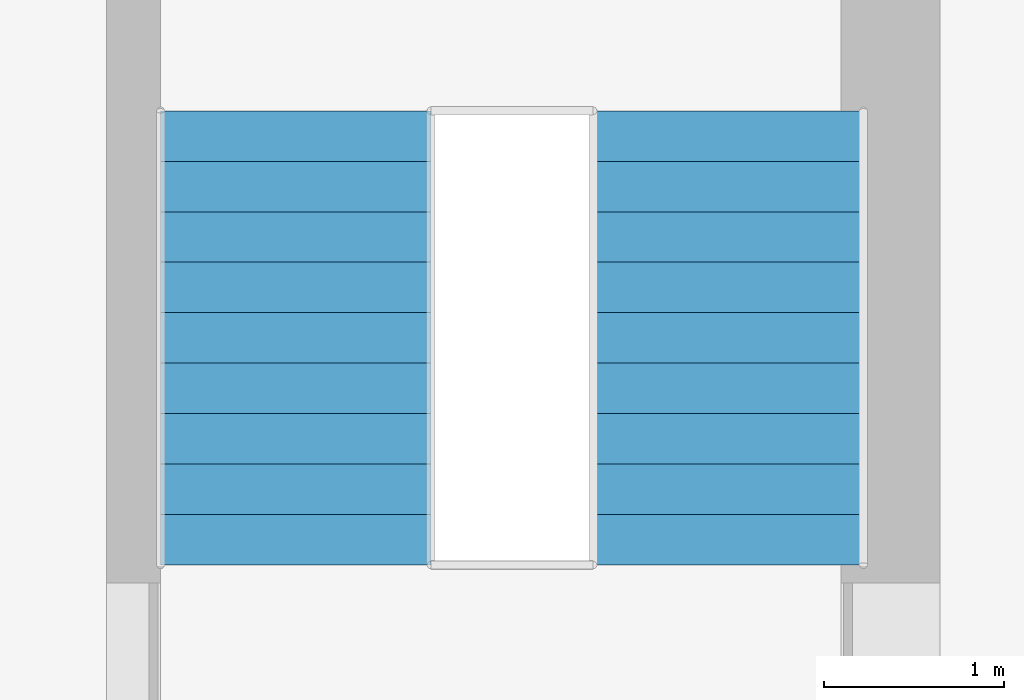
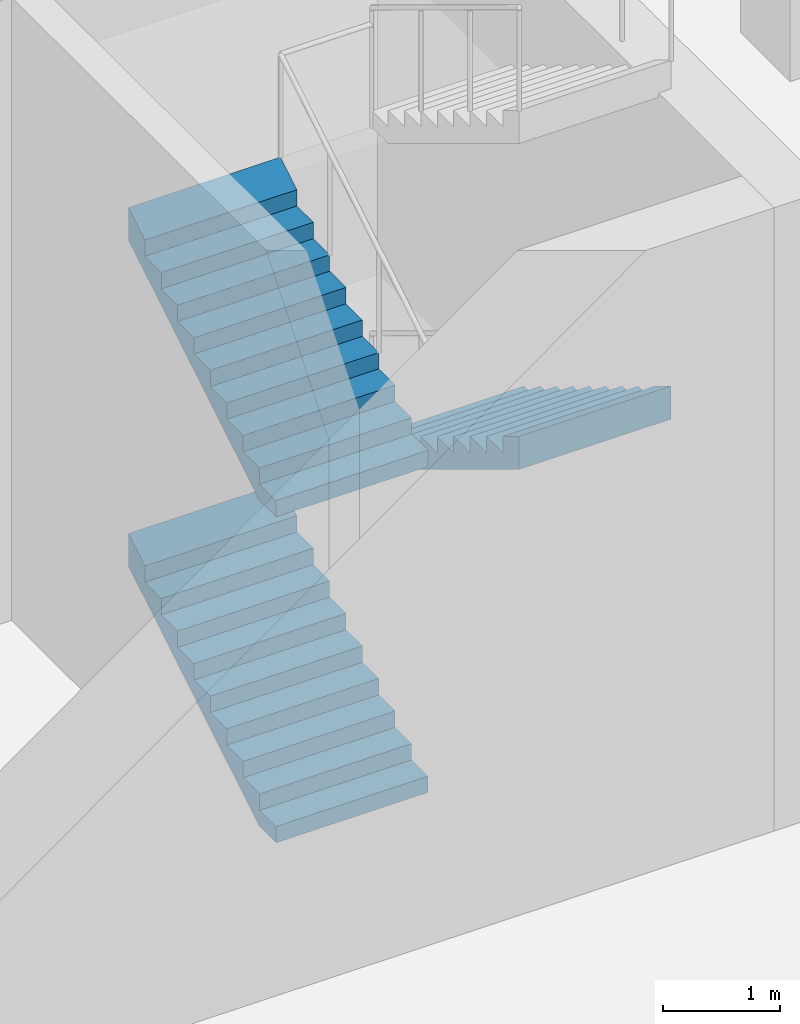
# One storey, part 4 of 10: 3 stair flights, 1 element without a shape of its own.
"""IFC4 building model written with IfcOpenShell, lengths in metres."""

from ifc_helpers import new_model, si_unit, direction, frame, origin, place, context, subcontext, project, spatial, triangles, material, type_object, element, aggregate, save


model = new_model("IFC4")

# Units and contexts
model_context = context("Model", 3, precision=1e-05, world=origin(), true_north=direction((0.0, 1.0)))
body_context = subcontext(model_context, "Body", "Model", "MODEL_VIEW")
ifc_project = project(units=[si_unit("LENGTHUNIT", "METRE"), si_unit("AREAUNIT", "SQUARE_METRE"), si_unit("VOLUMEUNIT", "CUBIC_METRE"), si_unit("PLANEANGLEUNIT", "RADIAN"), si_unit("MASSUNIT", "GRAM", prefix="KILO")], contexts=[model_context])

# Site, building, storey
site_placement = place(None, origin())
site = spatial("IfcSite", under=ifc_project, at=site_placement, CompositionType="ELEMENT")
building_placement = place(site_placement, origin())
building = spatial("IfcBuilding", under=site, at=building_placement, Name="Ludao Terraces", CompositionType="ELEMENT")
storey_placement = place(building_placement, frame((0.0, 0.0, 172.39990234375)))
storey = spatial("IfcBuildingStorey", under=building, at=storey_placement, Name="L47", CompositionType="ELEMENT", Elevation=172.39990234375)

# Stair, stair flights
ifc_material = material(Name="Concrete C40", Category="concrete")
stair_type = type_object("IfcStairType", Name="INT Stair", PredefinedType="HALF_TURN_STAIR", material=ifc_material)
stair_placement = place(storey_placement, origin())
stair = element("IfcStair", 1, at=stair_placement, inside=storey, type_object=stair_type, Name="EXIT STAIR 3", PredefinedType="HALF_TURN_STAIR")
stair_flight_type = type_object("IfcStairFlightType", Name="INT Stair flight", PredefinedType="STRAIGHT", material=ifc_material)
stair_flight_1_placement = place(storey_placement, frame((91.449951171875, 56.949951171875, 0.0), z_axis=(0.0, 0.0, 1.0), x_axis=(0.0, 1.0, 0.0)))
stair_flight_1 = element("IfcStairFlight", 2, at=stair_flight_1_placement, type_object=stair_flight_type, Name="ST3 flight 1", NumberOfRisers=10, NumberOfTreads=9, PredefinedType="STRAIGHT", RiserHeight=0.17, TreadLength=0.28, context=body_context, shape_type="Tessellation", body=[
    triangles([(0.0, -0.75, 0.0), (0.0, -0.5, 0.0), (0.0, -0.25, 0.0), (0.0, 0.0, 0.0), (0.0, 0.25, 0.0), (0.0, 0.5, 0.0), (0.0, 0.75, 0.0), (0.0, -0.75, 0.169921875), (0.0, -0.5, 0.169921875), (0.0, -0.25, 0.169921875), (0.0, 0.0, 0.169921875), (0.0, 0.25, 0.169921875), (0.0, 0.5, 0.169921875), (0.0, 0.75, 0.169921875), (0.280029296875, -0.75, 0.169921875), (0.280029296875, -0.5, 0.169921875), (0.280029296875, -0.25, 0.169921875), (0.280029296875, 0.0, 0.169921875), (0.280029296875, 0.25, 0.169921875), (0.280029296875, 0.5, 0.169921875), (0.280029296875, 0.75, 0.169921875), (0.280029296875, -0.75, 0.340087890625), (0.280029296875, -0.5, 0.340087890625), (0.280029296875, -0.25, 0.340087890625), (0.280029296875, 0.0, 0.340087890625), (0.280029296875, 0.25, 0.340087890625), (0.280029296875, 0.5, 0.340087890625), (0.280029296875, 0.75, 0.340087890625), (0.56005859375, -0.75, 0.340087890625), (0.56005859375, -0.5, 0.340087890625), (0.56005859375, -0.25, 0.340087890625), (0.56005859375, 0.0, 0.340087890625), (0.56005859375, 0.25, 0.340087890625), (0.56005859375, 0.5, 0.340087890625), (0.56005859375, 0.75, 0.340087890625), (0.56005859375, -0.75, 0.510009765625), (0.56005859375, -0.5, 0.510009765625), (0.56005859375, -0.25, 0.510009765625), (0.56005859375, 0.0, 0.510009765625), (0.56005859375, 0.25, 0.510009765625), (0.56005859375, 0.5, 0.510009765625), (0.56005859375, 0.75, 0.510009765625), (0.840087890625, -0.75, 0.510009765625), (0.840087890625, -0.5, 0.510009765625), (0.840087890625, -0.25, 0.510009765625), (0.840087890625, 0.0, 0.510009765625), (0.840087890625, 0.25, 0.510009765625), (0.840087890625, 0.5, 0.510009765625), (0.840087890625, 0.75, 0.510009765625), (0.840087890625, -0.75, 0.679931640625), (0.840087890625, -0.5, 0.679931640625), (0.840087890625, -0.25, 0.679931640625), (0.840087890625, 0.0, 0.679931640625), (0.840087890625, 0.25, 0.679931640625), (0.840087890625, 0.5, 0.679931640625), (0.840087890625, 0.75, 0.679931640625), (1.1201171875, -0.75, 0.679931640625), (1.1201171875, -0.5, 0.679931640625), (1.1201171875, -0.25, 0.679931640625), (1.1201171875, 0.0, 0.679931640625), (1.1201171875, 0.25, 0.679931640625), (1.1201171875, 0.5, 0.679931640625), (1.1201171875, 0.75, 0.679931640625), (1.1201171875, -0.75, 0.85009765625), (1.1201171875, -0.5, 0.85009765625), (1.1201171875, -0.25, 0.85009765625), (1.1201171875, 0.0, 0.85009765625), (1.1201171875, 0.25, 0.85009765625), (1.1201171875, 0.5, 0.85009765625), (1.1201171875, 0.75, 0.85009765625), (1.39990234375, -0.75, 0.85009765625), (1.39990234375, -0.5, 0.85009765625), (1.39990234375, -0.25, 0.85009765625), (1.39990234375, 0.0, 0.85009765625), (1.39990234375, 0.25, 0.85009765625), (1.39990234375, 0.5, 0.85009765625), (1.39990234375, 0.75, 0.85009765625), (1.39990234375, -0.75, 1.02001953125), (1.39990234375, -0.5, 1.02001953125), (1.39990234375, -0.25, 1.02001953125), (1.39990234375, 0.0, 1.02001953125), (1.39990234375, 0.25, 1.02001953125), (1.39990234375, 0.5, 1.02001953125), (1.39990234375, 0.75, 1.02001953125), (1.679931640625, -0.75, 1.02001953125), (1.679931640625, -0.5, 1.02001953125), (1.679931640625, -0.25, 1.02001953125), (1.679931640625, 0.0, 1.02001953125), (1.679931640625, 0.25, 1.02001953125), (1.679931640625, 0.5, 1.02001953125), (1.679931640625, 0.75, 1.02001953125), (1.679931640625, -0.75, 1.18994140625), (1.679931640625, -0.5, 1.18994140625), (1.679931640625, -0.25, 1.18994140625), (1.679931640625, 0.0, 1.18994140625), (1.679931640625, 0.25, 1.18994140625), (1.679931640625, 0.5, 1.18994140625), (1.679931640625, 0.75, 1.18994140625), (1.9599609375, -0.75, 1.18994140625), (1.9599609375, -0.5, 1.18994140625), (1.9599609375, -0.25, 1.18994140625), (1.9599609375, 0.0, 1.18994140625), (1.9599609375, 0.25, 1.18994140625), (1.9599609375, 0.5, 1.18994140625), (1.9599609375, 0.75, 1.18994140625), (1.9599609375, -0.75, 1.360107421875), (1.9599609375, -0.5, 1.360107421875), (1.9599609375, -0.25, 1.360107421875), (1.9599609375, 0.0, 1.360107421875), (1.9599609375, 0.25, 1.360107421875), (1.9599609375, 0.5, 1.360107421875), (1.9599609375, 0.75, 1.360107421875), (2.239990234375, -0.75, 1.360107421875), (2.239990234375, -0.5, 1.360107421875), (2.239990234375, -0.25, 1.360107421875), (2.239990234375, 0.0, 1.360107421875), (2.239990234375, 0.25, 1.360107421875), (2.239990234375, 0.5, 1.360107421875), (2.239990234375, 0.75, 1.360107421875), (2.239990234375, -0.75, 1.530029296875), (2.239990234375, -0.5, 1.530029296875), (2.239990234375, -0.25, 1.530029296875), (2.239990234375, 0.0, 1.530029296875), (2.239990234375, 0.25, 1.530029296875), (2.239990234375, 0.5, 1.530029296875), (2.239990234375, 0.75, 1.530029296875), (2.52001953125, -0.75, 1.699951171875), (2.52001953125, -0.5, 1.699951171875), (2.52001953125, -0.25, 1.699951171875), (2.52001953125, 0.0, 1.699951171875), (2.52001953125, 0.25, 1.699951171875), (2.52001953125, 0.5, 1.699951171875), (2.52001953125, 0.75, 1.699951171875), (2.52001953125, -0.75, 1.354736328125), (2.52001953125, -0.5, 1.354736328125), (2.52001953125, -0.25, 1.354736328125), (2.52001953125, 0.0, 1.354736328125), (2.52001953125, 0.25, 1.354736328125), (2.52001953125, 0.5, 1.354736328125), (2.52001953125, 0.75, 1.354736328125), (0.288818359375, -0.75, 0.0), (0.288818359375, -0.5, 0.0), (0.288818359375, -0.25, 0.0), (0.288818359375, 0.0, 0.0), (0.288818359375, 0.25, 0.0), (0.288818359375, 0.5, 0.0), (0.288818359375, 0.75, 0.0)], [[1, 141, 134], [7, 140, 147], [134, 127, 120], [140, 126, 133], [134, 120, 113], [140, 119, 126], [134, 113, 106], [140, 112, 119], [134, 106, 99], [140, 105, 112], [99, 92, 85], [105, 91, 98], [134, 99, 85], [140, 91, 105], [85, 78, 71], [91, 77, 84], [134, 85, 71], [140, 77, 91], [71, 64, 57], [77, 63, 70], [134, 71, 57], [140, 63, 77], [57, 50, 43], [63, 49, 56], [134, 57, 43], [140, 49, 63], [43, 36, 29], [49, 35, 42], [134, 43, 29], [140, 35, 49], [29, 22, 15], [35, 21, 28], [134, 29, 15], [140, 21, 35], [1, 134, 15], [7, 21, 140], [15, 8, 1], [21, 7, 14], [1, 9, 2], [1, 8, 9], [2, 10, 3], [2, 9, 10], [3, 11, 4], [3, 10, 11], [4, 12, 5], [4, 11, 12], [5, 13, 6], [5, 12, 13], [6, 14, 7], [6, 13, 14], [8, 16, 9], [8, 15, 16], [9, 17, 10], [9, 16, 17], [10, 18, 11], [10, 17, 18], [11, 19, 12], [11, 18, 19], [12, 20, 13], [12, 19, 20], [13, 21, 14], [13, 20, 21], [15, 23, 16], [15, 22, 23], [16, 24, 17], [16, 23, 24], [17, 25, 18], [17, 24, 25], [18, 26, 19], [18, 25, 26], [19, 27, 20], [19, 26, 27], [20, 28, 21], [20, 27, 28], [22, 30, 23], [22, 29, 30], [23, 31, 24], [23, 30, 31], [24, 32, 25], [24, 31, 32], [25, 33, 26], [25, 32, 33], [26, 34, 27], [26, 33, 34], [27, 35, 28], [27, 34, 35], [29, 37, 30], [29, 36, 37], [30, 38, 31], [30, 37, 38], [31, 39, 32], [31, 38, 39], [32, 40, 33], [32, 39, 40], [33, 41, 34], [33, 40, 41], [34, 42, 35], [34, 41, 42], [36, 44, 37], [36, 43, 44], [37, 45, 38], [37, 44, 45], [38, 46, 39], [38, 45, 46], [39, 47, 40], [39, 46, 47], [40, 48, 41], [40, 47, 48], [41, 49, 42], [41, 48, 49], [43, 51, 44], [43, 50, 51], [44, 52, 45], [44, 51, 52], [45, 53, 46], [45, 52, 53], [46, 54, 47], [46, 53, 54], [47, 55, 48], [47, 54, 55], [48, 56, 49], [48, 55, 56], [50, 58, 51], [50, 57, 58], [51, 59, 52], [51, 58, 59], [52, 60, 53], [52, 59, 60], [53, 61, 54], [53, 60, 61], [54, 62, 55], [54, 61, 62], [55, 63, 56], [55, 62, 63], [57, 65, 58], [57, 64, 65], [58, 66, 59], [58, 65, 66], [59, 67, 60], [59, 66, 67], [60, 68, 61], [60, 67, 68], [61, 69, 62], [61, 68, 69], [62, 70, 63], [62, 69, 70], [64, 72, 65], [64, 71, 72], [65, 73, 66], [65, 72, 73], [66, 74, 67], [66, 73, 74], [67, 75, 68], [67, 74, 75], [68, 76, 69], [68, 75, 76], [69, 77, 70], [69, 76, 77], [71, 79, 72], [71, 78, 79], [72, 80, 73], [72, 79, 80], [73, 81, 74], [73, 80, 81], [74, 82, 75], [74, 81, 82], [75, 83, 76], [75, 82, 83], [76, 84, 77], [76, 83, 84], [78, 86, 79], [78, 85, 86], [79, 87, 80], [79, 86, 87], [80, 88, 81], [80, 87, 88], [81, 89, 82], [81, 88, 89], [82, 90, 83], [82, 89, 90], [83, 91, 84], [83, 90, 91], [85, 93, 86], [85, 92, 93], [86, 94, 87], [86, 93, 94], [87, 95, 88], [87, 94, 95], [88, 96, 89], [88, 95, 96], [89, 97, 90], [89, 96, 97], [90, 98, 91], [90, 97, 98], [92, 100, 93], [92, 99, 100], [93, 101, 94], [93, 100, 101], [94, 102, 95], [94, 101, 102], [95, 103, 96], [95, 102, 103], [96, 104, 97], [96, 103, 104], [97, 105, 98], [97, 104, 105], [99, 107, 100], [99, 106, 107], [100, 108, 101], [100, 107, 108], [101, 109, 102], [101, 108, 109], [102, 110, 103], [102, 109, 110], [103, 111, 104], [103, 110, 111], [104, 112, 105], [104, 111, 112], [106, 114, 107], [106, 113, 114], [107, 115, 108], [107, 114, 115], [108, 116, 109], [108, 115, 116], [109, 117, 110], [109, 116, 117], [110, 118, 111], [110, 117, 118], [111, 119, 112], [111, 118, 119], [113, 121, 114], [113, 120, 121], [114, 122, 115], [114, 121, 122], [115, 123, 116], [115, 122, 123], [116, 124, 117], [116, 123, 124], [117, 125, 118], [117, 124, 125], [118, 126, 119], [118, 125, 126], [120, 128, 121], [120, 127, 128], [121, 129, 122], [121, 128, 129], [122, 130, 123], [122, 129, 130], [123, 131, 124], [123, 130, 131], [124, 132, 125], [124, 131, 132], [125, 133, 126], [125, 132, 133], [127, 135, 128], [127, 134, 135], [128, 136, 129], [128, 135, 136], [129, 137, 130], [129, 136, 137], [130, 138, 131], [130, 137, 138], [131, 139, 132], [131, 138, 139], [132, 140, 133], [132, 139, 140], [134, 142, 135], [134, 141, 142], [135, 143, 136], [135, 142, 143], [136, 144, 137], [136, 143, 144], [137, 145, 138], [137, 144, 145], [138, 146, 139], [138, 145, 146], [139, 147, 140], [139, 146, 147], [141, 2, 142], [141, 1, 2], [142, 3, 143], [142, 2, 3], [143, 4, 144], [143, 3, 4], [144, 5, 145], [144, 4, 5], [145, 6, 146], [145, 5, 6], [146, 7, 147], [146, 6, 7]], closed=True),
])
stair_flight_2_placement = place(storey_placement, frame((93.85009765625, 59.469970703125, 1.7001953125), z_axis=(0.0, 0.0, 1.0), x_axis=(0.0, -1.0, 0.0)))
stair_flight_2 = element("IfcStairFlight", 3, at=stair_flight_2_placement, type_object=stair_flight_type, Name="ST3 flight 2", NumberOfRisers=10, NumberOfTreads=9, PredefinedType="STRAIGHT", RiserHeight=0.17, TreadLength=0.28, context=body_context, shape_type="Tessellation", body=[
    triangles([(0.0, -0.75, 0.0), (0.0, -0.5, 0.0), (0.0, -0.25, 0.0), (0.0, 0.0, 0.0), (0.0, 0.25, 0.0), (0.0, 0.5, 0.0), (0.0, 0.75, 0.0), (0.0, -0.75, 0.169921875), (0.0, -0.5, 0.169921875), (0.0, -0.25, 0.169921875), (0.0, 0.0, 0.169921875), (0.0, 0.25, 0.169921875), (0.0, 0.5, 0.169921875), (0.0, 0.75, 0.169921875), (0.280029296875, -0.75, 0.169921875), (0.280029296875, -0.5, 0.169921875), (0.280029296875, -0.25, 0.169921875), (0.280029296875, 0.0, 0.169921875), (0.280029296875, 0.25, 0.169921875), (0.280029296875, 0.5, 0.169921875), (0.280029296875, 0.75, 0.169921875), (0.280029296875, -0.75, 0.340087890625), (0.280029296875, -0.5, 0.340087890625), (0.280029296875, -0.25, 0.340087890625), (0.280029296875, 0.0, 0.340087890625), (0.280029296875, 0.25, 0.340087890625), (0.280029296875, 0.5, 0.340087890625), (0.280029296875, 0.75, 0.340087890625), (0.56005859375, -0.75, 0.340087890625), (0.56005859375, -0.5, 0.340087890625), (0.56005859375, -0.25, 0.340087890625), (0.56005859375, 0.0, 0.340087890625), (0.56005859375, 0.25, 0.340087890625), (0.56005859375, 0.5, 0.340087890625), (0.56005859375, 0.75, 0.340087890625), (0.56005859375, -0.75, 0.510009765625), (0.56005859375, -0.5, 0.510009765625), (0.56005859375, -0.25, 0.510009765625), (0.56005859375, 0.0, 0.510009765625), (0.56005859375, 0.25, 0.510009765625), (0.56005859375, 0.5, 0.510009765625), (0.56005859375, 0.75, 0.510009765625), (0.840087890625, -0.75, 0.510009765625), (0.840087890625, -0.5, 0.510009765625), (0.840087890625, -0.25, 0.510009765625), (0.840087890625, 0.0, 0.510009765625), (0.840087890625, 0.25, 0.510009765625), (0.840087890625, 0.5, 0.510009765625), (0.840087890625, 0.75, 0.510009765625), (0.840087890625, -0.75, 0.679931640625), (0.840087890625, -0.5, 0.679931640625), (0.840087890625, -0.25, 0.679931640625), (0.840087890625, 0.0, 0.679931640625), (0.840087890625, 0.25, 0.679931640625), (0.840087890625, 0.5, 0.679931640625), (0.840087890625, 0.75, 0.679931640625), (1.1201171875, -0.75, 0.679931640625), (1.1201171875, -0.5, 0.679931640625), (1.1201171875, -0.25, 0.679931640625), (1.1201171875, 0.0, 0.679931640625), (1.1201171875, 0.25, 0.679931640625), (1.1201171875, 0.5, 0.679931640625), (1.1201171875, 0.75, 0.679931640625), (1.1201171875, -0.75, 0.85009765625), (1.1201171875, -0.5, 0.85009765625), (1.1201171875, -0.25, 0.85009765625), (1.1201171875, 0.0, 0.85009765625), (1.1201171875, 0.25, 0.85009765625), (1.1201171875, 0.5, 0.85009765625), (1.1201171875, 0.75, 0.85009765625), (1.39990234375, -0.75, 0.85009765625), (1.39990234375, -0.5, 0.85009765625), (1.39990234375, -0.25, 0.85009765625), (1.39990234375, 0.0, 0.85009765625), (1.39990234375, 0.25, 0.85009765625), (1.39990234375, 0.5, 0.85009765625), (1.39990234375, 0.75, 0.85009765625), (1.39990234375, -0.75, 1.02001953125), (1.39990234375, -0.5, 1.02001953125), (1.39990234375, -0.25, 1.02001953125), (1.39990234375, 0.0, 1.02001953125), (1.39990234375, 0.25, 1.02001953125), (1.39990234375, 0.5, 1.02001953125), (1.39990234375, 0.75, 1.02001953125), (1.679931640625, -0.75, 1.02001953125), (1.679931640625, -0.5, 1.02001953125), (1.679931640625, -0.25, 1.02001953125), (1.679931640625, 0.0, 1.02001953125), (1.679931640625, 0.25, 1.02001953125), (1.679931640625, 0.5, 1.02001953125), (1.679931640625, 0.75, 1.02001953125), (1.679931640625, -0.75, 1.18994140625), (1.679931640625, -0.5, 1.18994140625), (1.679931640625, -0.25, 1.18994140625), (1.679931640625, 0.0, 1.18994140625), (1.679931640625, 0.25, 1.18994140625), (1.679931640625, 0.5, 1.18994140625), (1.679931640625, 0.75, 1.18994140625), (1.9599609375, -0.75, 1.18994140625), (1.9599609375, -0.5, 1.18994140625), (1.9599609375, -0.25, 1.18994140625), (1.9599609375, 0.0, 1.18994140625), (1.9599609375, 0.25, 1.18994140625), (1.9599609375, 0.5, 1.18994140625), (1.9599609375, 0.75, 1.18994140625), (1.9599609375, -0.75, 1.360107421875), (1.9599609375, -0.5, 1.360107421875), (1.9599609375, -0.25, 1.360107421875), (1.9599609375, 0.0, 1.360107421875), (1.9599609375, 0.25, 1.360107421875), (1.9599609375, 0.5, 1.360107421875), (1.9599609375, 0.75, 1.360107421875), (2.239990234375, -0.75, 1.360107421875), (2.239990234375, -0.5, 1.360107421875), (2.239990234375, -0.25, 1.360107421875), (2.239990234375, 0.0, 1.360107421875), (2.239990234375, 0.25, 1.360107421875), (2.239990234375, 0.5, 1.360107421875), (2.239990234375, 0.75, 1.360107421875), (2.239990234375, -0.75, 1.530029296875), (2.239990234375, -0.5, 1.530029296875), (2.239990234375, -0.25, 1.530029296875), (2.239990234375, 0.0, 1.530029296875), (2.239990234375, 0.25, 1.530029296875), (2.239990234375, 0.5, 1.530029296875), (2.239990234375, 0.75, 1.530029296875), (2.52001953125, -0.75, 1.699951171875), (2.52001953125, -0.5, 1.699951171875), (2.52001953125, -0.25, 1.699951171875), (2.52001953125, 0.0, 1.699951171875), (2.52001953125, 0.25, 1.699951171875), (2.52001953125, 0.5, 1.699951171875), (2.52001953125, 0.75, 1.699951171875), (2.52001953125, -0.75, 1.354736328125), (2.52001953125, -0.5, 1.354736328125), (2.52001953125, -0.25, 1.354736328125), (2.52001953125, 0.0, 1.354736328125), (2.52001953125, 0.25, 1.354736328125), (2.52001953125, 0.5, 1.354736328125), (2.52001953125, 0.75, 1.354736328125), (0.288818359375, -0.75, 0.0), (0.288818359375, -0.5, 0.0), (0.288818359375, -0.25, 0.0), (0.288818359375, 0.0, 0.0), (0.288818359375, 0.25, 0.0), (0.288818359375, 0.5, 0.0), (0.288818359375, 0.75, 0.0)], [[1, 141, 134], [7, 140, 147], [134, 127, 120], [140, 126, 133], [134, 120, 113], [140, 119, 126], [134, 113, 106], [140, 112, 119], [134, 106, 99], [140, 105, 112], [99, 92, 85], [105, 91, 98], [134, 99, 85], [140, 91, 105], [85, 78, 71], [91, 77, 84], [134, 85, 71], [140, 77, 91], [71, 64, 57], [77, 63, 70], [134, 71, 57], [140, 63, 77], [57, 50, 43], [63, 49, 56], [134, 57, 43], [140, 49, 63], [43, 36, 29], [49, 35, 42], [134, 43, 29], [140, 35, 49], [29, 22, 15], [35, 21, 28], [134, 29, 15], [140, 21, 35], [1, 134, 15], [7, 21, 140], [15, 8, 1], [21, 7, 14], [1, 9, 2], [1, 8, 9], [2, 10, 3], [2, 9, 10], [3, 11, 4], [3, 10, 11], [4, 12, 5], [4, 11, 12], [5, 13, 6], [5, 12, 13], [6, 14, 7], [6, 13, 14], [8, 16, 9], [8, 15, 16], [9, 17, 10], [9, 16, 17], [10, 18, 11], [10, 17, 18], [11, 19, 12], [11, 18, 19], [12, 20, 13], [12, 19, 20], [13, 21, 14], [13, 20, 21], [15, 23, 16], [15, 22, 23], [16, 24, 17], [16, 23, 24], [17, 25, 18], [17, 24, 25], [18, 26, 19], [18, 25, 26], [19, 27, 20], [19, 26, 27], [20, 28, 21], [20, 27, 28], [22, 30, 23], [22, 29, 30], [23, 31, 24], [23, 30, 31], [24, 32, 25], [24, 31, 32], [25, 33, 26], [25, 32, 33], [26, 34, 27], [26, 33, 34], [27, 35, 28], [27, 34, 35], [29, 37, 30], [29, 36, 37], [30, 38, 31], [30, 37, 38], [31, 39, 32], [31, 38, 39], [32, 40, 33], [32, 39, 40], [33, 41, 34], [33, 40, 41], [34, 42, 35], [34, 41, 42], [36, 44, 37], [36, 43, 44], [37, 45, 38], [37, 44, 45], [38, 46, 39], [38, 45, 46], [39, 47, 40], [39, 46, 47], [40, 48, 41], [40, 47, 48], [41, 49, 42], [41, 48, 49], [43, 51, 44], [43, 50, 51], [44, 52, 45], [44, 51, 52], [45, 53, 46], [45, 52, 53], [46, 54, 47], [46, 53, 54], [47, 55, 48], [47, 54, 55], [48, 56, 49], [48, 55, 56], [50, 58, 51], [50, 57, 58], [51, 59, 52], [51, 58, 59], [52, 60, 53], [52, 59, 60], [53, 61, 54], [53, 60, 61], [54, 62, 55], [54, 61, 62], [55, 63, 56], [55, 62, 63], [57, 65, 58], [57, 64, 65], [58, 66, 59], [58, 65, 66], [59, 67, 60], [59, 66, 67], [60, 68, 61], [60, 67, 68], [61, 69, 62], [61, 68, 69], [62, 70, 63], [62, 69, 70], [64, 72, 65], [64, 71, 72], [65, 73, 66], [65, 72, 73], [66, 74, 67], [66, 73, 74], [67, 75, 68], [67, 74, 75], [68, 76, 69], [68, 75, 76], [69, 77, 70], [69, 76, 77], [71, 79, 72], [71, 78, 79], [72, 80, 73], [72, 79, 80], [73, 81, 74], [73, 80, 81], [74, 82, 75], [74, 81, 82], [75, 83, 76], [75, 82, 83], [76, 84, 77], [76, 83, 84], [78, 86, 79], [78, 85, 86], [79, 87, 80], [79, 86, 87], [80, 88, 81], [80, 87, 88], [81, 89, 82], [81, 88, 89], [82, 90, 83], [82, 89, 90], [83, 91, 84], [83, 90, 91], [85, 93, 86], [85, 92, 93], [86, 94, 87], [86, 93, 94], [87, 95, 88], [87, 94, 95], [88, 96, 89], [88, 95, 96], [89, 97, 90], [89, 96, 97], [90, 98, 91], [90, 97, 98], [92, 100, 93], [92, 99, 100], [93, 101, 94], [93, 100, 101], [94, 102, 95], [94, 101, 102], [95, 103, 96], [95, 102, 103], [96, 104, 97], [96, 103, 104], [97, 105, 98], [97, 104, 105], [99, 107, 100], [99, 106, 107], [100, 108, 101], [100, 107, 108], [101, 109, 102], [101, 108, 109], [102, 110, 103], [102, 109, 110], [103, 111, 104], [103, 110, 111], [104, 112, 105], [104, 111, 112], [106, 114, 107], [106, 113, 114], [107, 115, 108], [107, 114, 115], [108, 116, 109], [108, 115, 116], [109, 117, 110], [109, 116, 117], [110, 118, 111], [110, 117, 118], [111, 119, 112], [111, 118, 119], [113, 121, 114], [113, 120, 121], [114, 122, 115], [114, 121, 122], [115, 123, 116], [115, 122, 123], [116, 124, 117], [116, 123, 124], [117, 125, 118], [117, 124, 125], [118, 126, 119], [118, 125, 126], [120, 128, 121], [120, 127, 128], [121, 129, 122], [121, 128, 129], [122, 130, 123], [122, 129, 130], [123, 131, 124], [123, 130, 131], [124, 132, 125], [124, 131, 132], [125, 133, 126], [125, 132, 133], [127, 135, 128], [127, 134, 135], [128, 136, 129], [128, 135, 136], [129, 137, 130], [129, 136, 137], [130, 138, 131], [130, 137, 138], [131, 139, 132], [131, 138, 139], [132, 140, 133], [132, 139, 140], [134, 142, 135], [134, 141, 142], [135, 143, 136], [135, 142, 143], [136, 144, 137], [136, 143, 144], [137, 145, 138], [137, 144, 145], [138, 146, 139], [138, 145, 146], [139, 147, 140], [139, 146, 147], [141, 2, 142], [141, 1, 2], [142, 3, 143], [142, 2, 3], [143, 4, 144], [143, 3, 4], [144, 5, 145], [144, 4, 5], [145, 6, 146], [145, 5, 6], [146, 7, 147], [146, 6, 7]], closed=True),
])
stair_flight_3_placement = place(storey_placement, frame((91.449951171875, 56.949951171875, 3.400146484375), z_axis=(0.0, 0.0, 1.0), x_axis=(0.0, 1.0, 0.0)))
stair_flight_3 = element("IfcStairFlight", 4, at=stair_flight_3_placement, type_object=stair_flight_type, Name="ST3 flight 3", NumberOfRisers=10, NumberOfTreads=9, PredefinedType="STRAIGHT", RiserHeight=0.17, TreadLength=0.28, context=body_context, shape_type="Tessellation", body=[
    triangles([(0.0, -0.75, 0.0), (0.0, -0.5, 0.0), (0.0, -0.25, 0.0), (0.0, 0.0, 0.0), (0.0, 0.25, 0.0), (0.0, 0.5, 0.0), (0.0, 0.75, 0.0), (0.0, -0.75, 0.169921875), (0.0, -0.5, 0.169921875), (0.0, -0.25, 0.169921875), (0.0, 0.0, 0.169921875), (0.0, 0.25, 0.169921875), (0.0, 0.5, 0.169921875), (0.0, 0.75, 0.169921875), (0.280029296875, -0.75, 0.169921875), (0.280029296875, -0.5, 0.169921875), (0.280029296875, -0.25, 0.169921875), (0.280029296875, 0.0, 0.169921875), (0.280029296875, 0.25, 0.169921875), (0.280029296875, 0.5, 0.169921875), (0.280029296875, 0.75, 0.169921875), (0.280029296875, -0.75, 0.340087890625), (0.280029296875, -0.5, 0.340087890625), (0.280029296875, -0.25, 0.340087890625), (0.280029296875, 0.0, 0.340087890625), (0.280029296875, 0.25, 0.340087890625), (0.280029296875, 0.5, 0.340087890625), (0.280029296875, 0.75, 0.340087890625), (0.56005859375, -0.75, 0.340087890625), (0.56005859375, -0.5, 0.340087890625), (0.56005859375, -0.25, 0.340087890625), (0.56005859375, 0.0, 0.340087890625), (0.56005859375, 0.25, 0.340087890625), (0.56005859375, 0.5, 0.340087890625), (0.56005859375, 0.75, 0.340087890625), (0.56005859375, -0.75, 0.510009765625), (0.56005859375, -0.5, 0.510009765625), (0.56005859375, -0.25, 0.510009765625), (0.56005859375, 0.0, 0.510009765625), (0.56005859375, 0.25, 0.510009765625), (0.56005859375, 0.5, 0.510009765625), (0.56005859375, 0.75, 0.510009765625), (0.840087890625, -0.75, 0.510009765625), (0.840087890625, -0.5, 0.510009765625), (0.840087890625, -0.25, 0.510009765625), (0.840087890625, 0.0, 0.510009765625), (0.840087890625, 0.25, 0.510009765625), (0.840087890625, 0.5, 0.510009765625), (0.840087890625, 0.75, 0.510009765625), (0.840087890625, -0.75, 0.679931640625), (0.840087890625, -0.5, 0.679931640625), (0.840087890625, -0.25, 0.679931640625), (0.840087890625, 0.0, 0.679931640625), (0.840087890625, 0.25, 0.679931640625), (0.840087890625, 0.5, 0.679931640625), (0.840087890625, 0.75, 0.679931640625), (1.1201171875, -0.75, 0.679931640625), (1.1201171875, -0.5, 0.679931640625), (1.1201171875, -0.25, 0.679931640625), (1.1201171875, 0.0, 0.679931640625), (1.1201171875, 0.25, 0.679931640625), (1.1201171875, 0.5, 0.679931640625), (1.1201171875, 0.75, 0.679931640625), (1.1201171875, -0.75, 0.85009765625), (1.1201171875, -0.5, 0.85009765625), (1.1201171875, -0.25, 0.85009765625), (1.1201171875, 0.0, 0.85009765625), (1.1201171875, 0.25, 0.85009765625), (1.1201171875, 0.5, 0.85009765625), (1.1201171875, 0.75, 0.85009765625), (1.39990234375, -0.75, 0.85009765625), (1.39990234375, -0.5, 0.85009765625), (1.39990234375, -0.25, 0.85009765625), (1.39990234375, 0.0, 0.85009765625), (1.39990234375, 0.25, 0.85009765625), (1.39990234375, 0.5, 0.85009765625), (1.39990234375, 0.75, 0.85009765625), (1.39990234375, -0.75, 1.02001953125), (1.39990234375, -0.5, 1.02001953125), (1.39990234375, -0.25, 1.02001953125), (1.39990234375, 0.0, 1.02001953125), (1.39990234375, 0.25, 1.02001953125), (1.39990234375, 0.5, 1.02001953125), (1.39990234375, 0.75, 1.02001953125), (1.679931640625, -0.75, 1.02001953125), (1.679931640625, -0.5, 1.02001953125), (1.679931640625, -0.25, 1.02001953125), (1.679931640625, 0.0, 1.02001953125), (1.679931640625, 0.25, 1.02001953125), (1.679931640625, 0.5, 1.02001953125), (1.679931640625, 0.75, 1.02001953125), (1.679931640625, -0.75, 1.18994140625), (1.679931640625, -0.5, 1.18994140625), (1.679931640625, -0.25, 1.18994140625), (1.679931640625, 0.0, 1.18994140625), (1.679931640625, 0.25, 1.18994140625), (1.679931640625, 0.5, 1.18994140625), (1.679931640625, 0.75, 1.18994140625), (1.9599609375, -0.75, 1.18994140625), (1.9599609375, -0.5, 1.18994140625), (1.9599609375, -0.25, 1.18994140625), (1.9599609375, 0.0, 1.18994140625), (1.9599609375, 0.25, 1.18994140625), (1.9599609375, 0.5, 1.18994140625), (1.9599609375, 0.75, 1.18994140625), (1.9599609375, -0.75, 1.360107421875), (1.9599609375, -0.5, 1.360107421875), (1.9599609375, -0.25, 1.360107421875), (1.9599609375, 0.0, 1.360107421875), (1.9599609375, 0.25, 1.360107421875), (1.9599609375, 0.5, 1.360107421875), (1.9599609375, 0.75, 1.360107421875), (2.239990234375, -0.75, 1.360107421875), (2.239990234375, -0.5, 1.360107421875), (2.239990234375, -0.25, 1.360107421875), (2.239990234375, 0.0, 1.360107421875), (2.239990234375, 0.25, 1.360107421875), (2.239990234375, 0.5, 1.360107421875), (2.239990234375, 0.75, 1.360107421875), (2.239990234375, -0.75, 1.530029296875), (2.239990234375, -0.5, 1.530029296875), (2.239990234375, -0.25, 1.530029296875), (2.239990234375, 0.0, 1.530029296875), (2.239990234375, 0.25, 1.530029296875), (2.239990234375, 0.5, 1.530029296875), (2.239990234375, 0.75, 1.530029296875), (2.52001953125, -0.75, 1.699951171875), (2.52001953125, -0.5, 1.699951171875), (2.52001953125, -0.25, 1.699951171875), (2.52001953125, 0.0, 1.699951171875), (2.52001953125, 0.25, 1.699951171875), (2.52001953125, 0.5, 1.699951171875), (2.52001953125, 0.75, 1.699951171875), (2.52001953125, -0.75, 1.354736328125), (2.52001953125, -0.5, 1.354736328125), (2.52001953125, -0.25, 1.354736328125), (2.52001953125, 0.0, 1.354736328125), (2.52001953125, 0.25, 1.354736328125), (2.52001953125, 0.5, 1.354736328125), (2.52001953125, 0.75, 1.354736328125), (0.288818359375, -0.75, 0.0), (0.288818359375, -0.5, 0.0), (0.288818359375, -0.25, 0.0), (0.288818359375, 0.0, 0.0), (0.288818359375, 0.25, 0.0), (0.288818359375, 0.5, 0.0), (0.288818359375, 0.75, 0.0)], [[1, 141, 134], [7, 140, 147], [134, 127, 120], [140, 126, 133], [134, 120, 113], [140, 119, 126], [134, 113, 106], [140, 112, 119], [134, 106, 99], [140, 105, 112], [99, 92, 85], [105, 91, 98], [134, 99, 85], [140, 91, 105], [85, 78, 71], [91, 77, 84], [134, 85, 71], [140, 77, 91], [71, 64, 57], [77, 63, 70], [134, 71, 57], [140, 63, 77], [57, 50, 43], [63, 49, 56], [134, 57, 43], [140, 49, 63], [43, 36, 29], [49, 35, 42], [134, 43, 29], [140, 35, 49], [29, 22, 15], [35, 21, 28], [134, 29, 15], [140, 21, 35], [1, 134, 15], [7, 21, 140], [15, 8, 1], [21, 7, 14], [1, 9, 2], [1, 8, 9], [2, 10, 3], [2, 9, 10], [3, 11, 4], [3, 10, 11], [4, 12, 5], [4, 11, 12], [5, 13, 6], [5, 12, 13], [6, 14, 7], [6, 13, 14], [8, 16, 9], [8, 15, 16], [9, 17, 10], [9, 16, 17], [10, 18, 11], [10, 17, 18], [11, 19, 12], [11, 18, 19], [12, 20, 13], [12, 19, 20], [13, 21, 14], [13, 20, 21], [15, 23, 16], [15, 22, 23], [16, 24, 17], [16, 23, 24], [17, 25, 18], [17, 24, 25], [18, 26, 19], [18, 25, 26], [19, 27, 20], [19, 26, 27], [20, 28, 21], [20, 27, 28], [22, 30, 23], [22, 29, 30], [23, 31, 24], [23, 30, 31], [24, 32, 25], [24, 31, 32], [25, 33, 26], [25, 32, 33], [26, 34, 27], [26, 33, 34], [27, 35, 28], [27, 34, 35], [29, 37, 30], [29, 36, 37], [30, 38, 31], [30, 37, 38], [31, 39, 32], [31, 38, 39], [32, 40, 33], [32, 39, 40], [33, 41, 34], [33, 40, 41], [34, 42, 35], [34, 41, 42], [36, 44, 37], [36, 43, 44], [37, 45, 38], [37, 44, 45], [38, 46, 39], [38, 45, 46], [39, 47, 40], [39, 46, 47], [40, 48, 41], [40, 47, 48], [41, 49, 42], [41, 48, 49], [43, 51, 44], [43, 50, 51], [44, 52, 45], [44, 51, 52], [45, 53, 46], [45, 52, 53], [46, 54, 47], [46, 53, 54], [47, 55, 48], [47, 54, 55], [48, 56, 49], [48, 55, 56], [50, 58, 51], [50, 57, 58], [51, 59, 52], [51, 58, 59], [52, 60, 53], [52, 59, 60], [53, 61, 54], [53, 60, 61], [54, 62, 55], [54, 61, 62], [55, 63, 56], [55, 62, 63], [57, 65, 58], [57, 64, 65], [58, 66, 59], [58, 65, 66], [59, 67, 60], [59, 66, 67], [60, 68, 61], [60, 67, 68], [61, 69, 62], [61, 68, 69], [62, 70, 63], [62, 69, 70], [64, 72, 65], [64, 71, 72], [65, 73, 66], [65, 72, 73], [66, 74, 67], [66, 73, 74], [67, 75, 68], [67, 74, 75], [68, 76, 69], [68, 75, 76], [69, 77, 70], [69, 76, 77], [71, 79, 72], [71, 78, 79], [72, 80, 73], [72, 79, 80], [73, 81, 74], [73, 80, 81], [74, 82, 75], [74, 81, 82], [75, 83, 76], [75, 82, 83], [76, 84, 77], [76, 83, 84], [78, 86, 79], [78, 85, 86], [79, 87, 80], [79, 86, 87], [80, 88, 81], [80, 87, 88], [81, 89, 82], [81, 88, 89], [82, 90, 83], [82, 89, 90], [83, 91, 84], [83, 90, 91], [85, 93, 86], [85, 92, 93], [86, 94, 87], [86, 93, 94], [87, 95, 88], [87, 94, 95], [88, 96, 89], [88, 95, 96], [89, 97, 90], [89, 96, 97], [90, 98, 91], [90, 97, 98], [92, 100, 93], [92, 99, 100], [93, 101, 94], [93, 100, 101], [94, 102, 95], [94, 101, 102], [95, 103, 96], [95, 102, 103], [96, 104, 97], [96, 103, 104], [97, 105, 98], [97, 104, 105], [99, 107, 100], [99, 106, 107], [100, 108, 101], [100, 107, 108], [101, 109, 102], [101, 108, 109], [102, 110, 103], [102, 109, 110], [103, 111, 104], [103, 110, 111], [104, 112, 105], [104, 111, 112], [106, 114, 107], [106, 113, 114], [107, 115, 108], [107, 114, 115], [108, 116, 109], [108, 115, 116], [109, 117, 110], [109, 116, 117], [110, 118, 111], [110, 117, 118], [111, 119, 112], [111, 118, 119], [113, 121, 114], [113, 120, 121], [114, 122, 115], [114, 121, 122], [115, 123, 116], [115, 122, 123], [116, 124, 117], [116, 123, 124], [117, 125, 118], [117, 124, 125], [118, 126, 119], [118, 125, 126], [120, 128, 121], [120, 127, 128], [121, 129, 122], [121, 128, 129], [122, 130, 123], [122, 129, 130], [123, 131, 124], [123, 130, 131], [124, 132, 125], [124, 131, 132], [125, 133, 126], [125, 132, 133], [127, 135, 128], [127, 134, 135], [128, 136, 129], [128, 135, 136], [129, 137, 130], [129, 136, 137], [130, 138, 131], [130, 137, 138], [131, 139, 132], [131, 138, 139], [132, 140, 133], [132, 139, 140], [134, 142, 135], [134, 141, 142], [135, 143, 136], [135, 142, 143], [136, 144, 137], [136, 143, 144], [137, 145, 138], [137, 144, 145], [138, 146, 139], [138, 145, 146], [139, 147, 140], [139, 146, 147], [141, 2, 142], [141, 1, 2], [142, 3, 143], [142, 2, 3], [143, 4, 144], [143, 3, 4], [144, 5, 145], [144, 4, 5], [145, 6, 146], [145, 5, 6], [146, 7, 147], [146, 6, 7]], closed=True),
])
aggregate(stair, [stair_flight_1, stair_flight_2, stair_flight_3])

save(model, "model.ifc")
